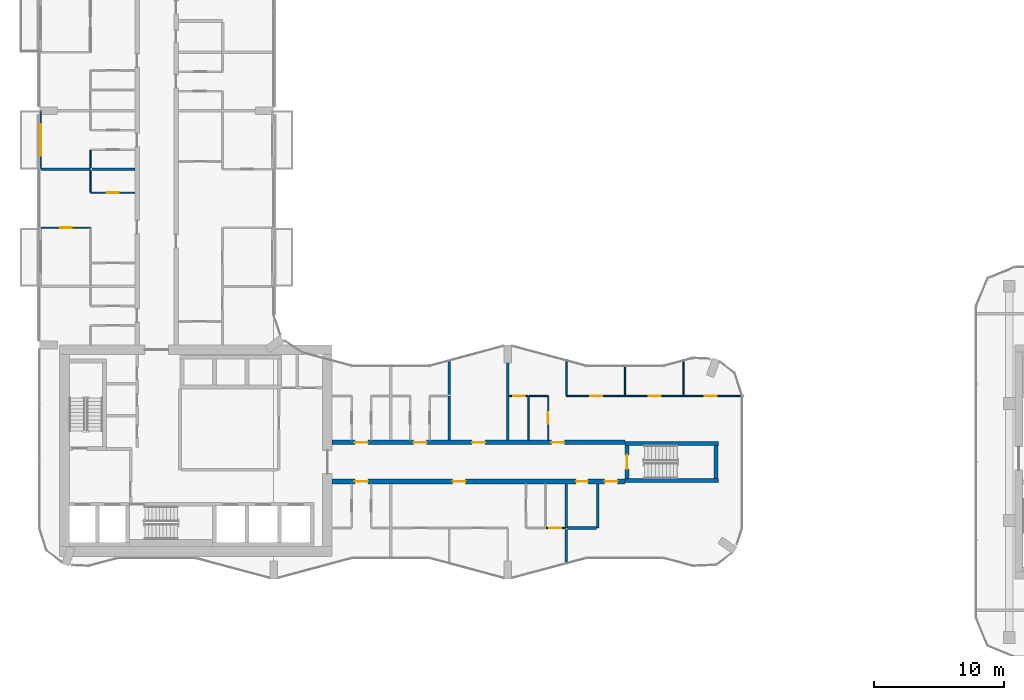
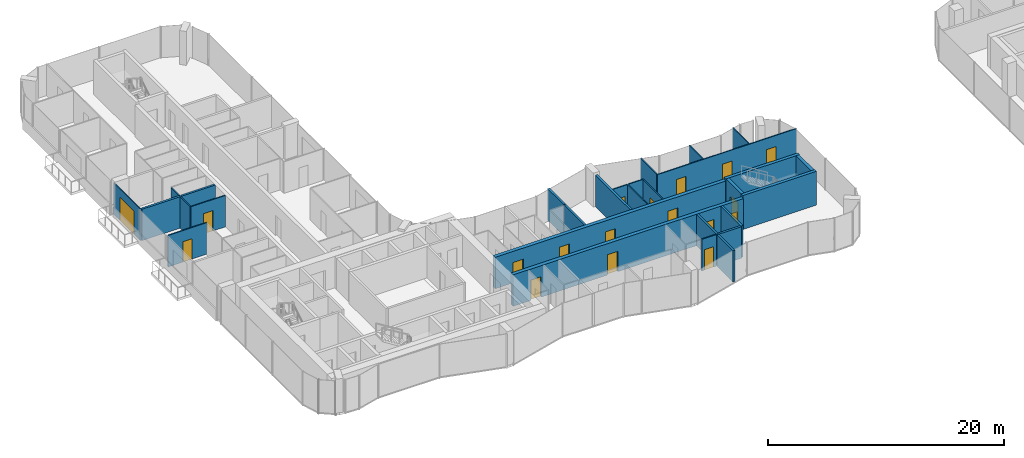
# One storey, part 15 of 23: 29 walls, 18 doors, 18 openings.
"""IFC4 building model written with IfcOpenShell, lengths in metres."""

from ifc_helpers import new_model, si_unit, direction, frame, frame_2d, origin, place, context, subcontext, project, spatial, rectangle, extrude, material, layer, layer_set, type_object, element, fill, save


model = new_model("IFC4")

# Units and contexts
model_context = context("Model", 3, precision=1e-05, world=origin(), true_north=direction((0.0, 1.0)))
body_context = subcontext(model_context, "Body", "Model", "MODEL_VIEW")
ifc_project = project(units=[si_unit("LENGTHUNIT", "METRE"), si_unit("AREAUNIT", "SQUARE_METRE"), si_unit("VOLUMEUNIT", "CUBIC_METRE"), si_unit("PLANEANGLEUNIT", "RADIAN"), si_unit("MASSUNIT", "GRAM", prefix="KILO")], contexts=[model_context])

# Site, building, storey
site_placement = place(None, origin())
site = spatial("IfcSite", under=ifc_project, at=site_placement, CompositionType="ELEMENT")
building_placement = place(site_placement, origin())
building = spatial("IfcBuilding", under=site, at=building_placement, Name="Plateau Cross Towers", CompositionType="ELEMENT")
storey_placement = place(building_placement, frame((0.0, 0.0, 37.300048828125)))
storey = spatial("IfcBuildingStorey", under=building, at=storey_placement, Name="L08", CompositionType="ELEMENT", Elevation=37.300048828125)

# Wall, opening, door
ifc_material_1 = material(Name="Aluminium framed glazing", Category="aluminium")
ifc_layer_1 = layer(ifc_material_1, 0.10009765625)
ifc_layer_set_1 = layer_set([ifc_layer_1], Name="Aluminium framed glazing")
wall_type_1 = type_object("IfcWallType", Name="Balcony screen wall 100", PredefinedType="STANDARD", material=ifc_layer_set_1)
wall_1_placement = place(storey_placement, frame((0.10009765625, 31.5, 0.0), z_axis=(0.0, 0.0, 1.0), x_axis=(0.0, 1.0, 0.0)))
wall_1 = element("IfcWall", 1, at=wall_1_placement, inside=storey, type_object=wall_type_1, Name="Balcony screen wall A-BAL-L08-02", PredefinedType="STANDARD", context=body_context, shape_type="SweptSolid", body=[
    extrude(rectangle(XDim=4.5, YDim=0.10009765625, at=frame_2d((2.25, 0.0))), origin(), (0.0, 0.0, 1.0), 3.25),
])
opening_1_placement = place(wall_1_placement, frame((1.050048828125, 0.0, 0.0)))
opening_1 = element("IfcOpeningElement", 2, at=opening_1_placement, cuts=wall_1, Name="Opening D-B24", PredefinedType="OPENING", context=body_context, shape_type="SweptSolid", body=[
    extrude(rectangle(XDim=2.39990234375, YDim=2.39990234375, at=frame_2d((1.199951171875, 1.199951171875))), frame((0.0, 0.06005859375, 0.0), z_axis=(0.0, -1.0, 0.0), x_axis=(1.0, 0.0, 0.0)), (0.0, 0.0, 1.0), 0.1201171875),
])
ifc_material_2 = material(Name="Aluminium frame, double glazing", Category="aluminium")
door_type_1 = type_object("IfcDoorType", Name="Balcony sliding door 2400", OperationType="NOTDEFINED", PredefinedType="DOOR", material=ifc_material_2)
door_1_placement = place(opening_1_placement, origin())
door_1 = element("IfcDoor", 3, at=door_1_placement, inside=storey, type_object=door_type_1, Name="Balcony door A-BAL-L08-02", OperationType="SINGLE_SWING_LEFT", OverallHeight=2.39990234375, OverallWidth=2.39990234375, PredefinedType="DOOR", context=body_context, shape_type="SweptSolid", body=[
    extrude(rectangle(XDim=2.39990234375, YDim=2.39990234375, at=frame_2d((1.199951171875, 1.199951171875))), frame((0.0, 0.02490234375, 0.0), z_axis=(0.0, -1.0, 0.0), x_axis=(1.0, 0.0, 0.0)), (0.0, 0.0, 1.0), 0.050048828125),
])
fill(opening_1, door_1)

# Wall, openings, doors
ifc_material_3 = material(Name="Concrete C60/75", Category="concrete")
ifc_layer_2 = layer(ifc_material_3, 0.35009765625)
ifc_layer_set_2 = layer_set([ifc_layer_2], Name="Concrete C60/75")
wall_type_2 = type_object("IfcWallType", Name="Corridor wall 350", PredefinedType="SHEAR", material=ifc_layer_set_2)
wall_2_placement = place(storey_placement, frame((22.5, 7.5, 0.0), z_axis=(0.0, 0.0, 1.0), x_axis=(1.0, 0.0, 0.0)))
wall_2 = element("IfcWall", 4, at=wall_2_placement, inside=storey, type_object=wall_type_2, Name="A-cw-S1@L08", PredefinedType="SHEAR", context=body_context, shape_type="SweptSolid", body=[
    extrude(rectangle(XDim=22.5, YDim=0.35009765625, at=frame_2d((11.25, 0.0))), origin(), (0.0, 0.0, 1.0), 3.25),
])
opening_2_placement = place(wall_2_placement, frame((1.75, 0.0, 0.0)))
opening_2 = element("IfcOpeningElement", 5, at=opening_2_placement, cuts=wall_2, Name="Opening 08-01", PredefinedType="OPENING", context=body_context, shape_type="SweptSolid", body=[
    extrude(rectangle(XDim=1.0, YDim=2.10009765625, at=frame_2d((0.5, 1.050048828125))), frame((0.0, 0.18505859375, 0.0), z_axis=(0.0, -1.0, 0.0), x_axis=(1.0, 0.0, 0.0)), (0.0, 0.0, 1.0), 0.3701171875),
])
opening_3_placement = place(wall_2_placement, frame((9.25, 0.0, 0.0)))
opening_3 = element("IfcOpeningElement", 6, at=opening_3_placement, cuts=wall_2, Name="Opening 08-02", PredefinedType="OPENING", context=body_context, shape_type="SweptSolid", body=[
    extrude(rectangle(XDim=1.0, YDim=2.10009765625, at=frame_2d((0.5, 1.050048828125))), frame((0.0, 0.18505859375, 0.0), z_axis=(0.0, -1.0, 0.0), x_axis=(1.0, 0.0, 0.0)), (0.0, 0.0, 1.0), 0.3701171875),
])
opening_4_placement = place(wall_2_placement, frame((18.75, 0.0, 0.0)))
opening_4 = element("IfcOpeningElement", 7, at=opening_4_placement, cuts=wall_2, Name="Opening 08-03", PredefinedType="OPENING", context=body_context, shape_type="SweptSolid", body=[
    extrude(rectangle(XDim=0.89990234375, YDim=2.10009765625, at=frame_2d((0.449951171875, 1.050048828125))), frame((0.0, 0.18505859375, 0.0), z_axis=(0.0, -1.0, 0.0), x_axis=(1.0, 0.0, 0.0)), (0.0, 0.0, 1.0), 0.3701171875),
])
opening_5_placement = place(wall_2_placement, frame((20.949951171875, 0.0, 0.0)))
opening_5 = element("IfcOpeningElement", 8, at=opening_5_placement, cuts=wall_2, Name="Opening 08-04", PredefinedType="OPENING", context=body_context, shape_type="SweptSolid", body=[
    extrude(rectangle(XDim=1.0, YDim=2.10009765625, at=frame_2d((0.5, 1.050048828125))), frame((0.0, 0.18505859375, 0.0), z_axis=(0.0, -1.0, 0.0), x_axis=(1.0, 0.0, 0.0)), (0.0, 0.0, 1.0), 0.3701171875),
])
ifc_material_4 = material(Name="Timber, fire-resisting leaf", Category="wood")
door_type_2 = type_object("IfcDoorType", Name="Flat entrance door 1000", OperationType="NOTDEFINED", PredefinedType="DOOR", material=ifc_material_4)
door_2_placement = place(opening_2_placement, origin())
door_2 = element("IfcDoor", 9, at=door_2_placement, inside=storey, type_object=door_type_2, Name="Door 08-01", OperationType="SINGLE_SWING_LEFT", OverallHeight=2.10009765625, OverallWidth=1.0, PredefinedType="DOOR", context=body_context, shape_type="SweptSolid", body=[
    extrude(rectangle(XDim=1.0, YDim=2.10009765625, at=frame_2d((0.5, 1.050048828125))), frame((0.0, 0.02490234375, 0.0), z_axis=(0.0, -1.0, 0.0), x_axis=(1.0, 0.0, 0.0)), (0.0, 0.0, 1.0), 0.050048828125),
])
fill(opening_2, door_2)
door_3_placement = place(opening_3_placement, origin())
door_3 = element("IfcDoor", 10, at=door_3_placement, inside=storey, type_object=door_type_2, Name="Door 08-02", OperationType="SINGLE_SWING_LEFT", OverallHeight=2.10009765625, OverallWidth=1.0, PredefinedType="DOOR", context=body_context, shape_type="SweptSolid", body=[
    extrude(rectangle(XDim=1.0, YDim=2.10009765625, at=frame_2d((0.5, 1.050048828125))), frame((0.0, 0.02490234375, 0.0), z_axis=(0.0, -1.0, 0.0), x_axis=(1.0, 0.0, 0.0)), (0.0, 0.0, 1.0), 0.050048828125),
])
fill(opening_3, door_3)
door_4_placement = place(opening_5_placement, origin())
door_4 = element("IfcDoor", 11, at=door_4_placement, inside=storey, type_object=door_type_2, Name="Door 08-04", OperationType="SINGLE_SWING_RIGHT", OverallHeight=2.10009765625, OverallWidth=1.0, PredefinedType="DOOR", context=body_context, shape_type="SweptSolid", body=[
    extrude(rectangle(XDim=1.0, YDim=2.10009765625, at=frame_2d((0.5, 1.050048828125))), frame((0.0, 0.02490234375, 0.0), z_axis=(0.0, -1.0, 0.0), x_axis=(1.0, 0.0, 0.0)), (0.0, 0.0, 1.0), 0.050048828125),
])
fill(opening_5, door_4)
door_type_3 = type_object("IfcDoorType", Name="Flat floor service door 900", OperationType="NOTDEFINED", PredefinedType="DOOR", material=ifc_material_4)
door_5_placement = place(opening_4_placement, origin())
door_5 = element("IfcDoor", 12, at=door_5_placement, inside=storey, type_object=door_type_3, Name="Door 08-03", OperationType="SINGLE_SWING_RIGHT", OverallHeight=2.10009765625, OverallWidth=0.89990234375, PredefinedType="DOOR", context=body_context, shape_type="SweptSolid", body=[
    extrude(rectangle(XDim=0.89990234375, YDim=2.10009765625, at=frame_2d((0.449951171875, 1.050048828125))), frame((0.0, 0.02490234375, 0.0), z_axis=(0.0, -1.0, 0.0), x_axis=(1.0, 0.0, 0.0)), (0.0, 0.0, 1.0), 0.050048828125),
])
fill(opening_4, door_5)

wall_3_placement = place(storey_placement, frame((22.5, 10.5, 0.0), z_axis=(0.0, 0.0, 1.0), x_axis=(1.0, 0.0, 0.0)))
wall_3 = element("IfcWall", 13, at=wall_3_placement, inside=storey, type_object=wall_type_2, Name="A-cw-S2@L08", PredefinedType="SHEAR", context=body_context, shape_type="SweptSolid", body=[
    extrude(rectangle(XDim=22.5, YDim=0.35009765625, at=frame_2d((11.25, 0.0))), origin(), (0.0, 0.0, 1.0), 3.25),
])
opening_6_placement = place(wall_3_placement, frame((1.75, 0.0, 0.0)))
opening_6 = element("IfcOpeningElement", 14, at=opening_6_placement, cuts=wall_3, Name="Opening 08-05", PredefinedType="OPENING", context=body_context, shape_type="SweptSolid", body=[
    extrude(rectangle(XDim=1.0, YDim=2.10009765625, at=frame_2d((0.5, 1.050048828125))), frame((0.0, 0.18505859375, 0.0), z_axis=(0.0, -1.0, 0.0), x_axis=(1.0, 0.0, 0.0)), (0.0, 0.0, 1.0), 0.3701171875),
])
opening_7_placement = place(wall_3_placement, frame((6.25, 0.0, 0.0)))
opening_7 = element("IfcOpeningElement", 15, at=opening_7_placement, cuts=wall_3, Name="Opening 08-06", PredefinedType="OPENING", context=body_context, shape_type="SweptSolid", body=[
    extrude(rectangle(XDim=1.0, YDim=2.10009765625, at=frame_2d((0.5, 1.050048828125))), frame((0.0, 0.18505859375, 0.0), z_axis=(0.0, -1.0, 0.0), x_axis=(1.0, 0.0, 0.0)), (0.0, 0.0, 1.0), 0.3701171875),
])
opening_8_placement = place(wall_3_placement, frame((10.75, 0.0, 0.0)))
opening_8 = element("IfcOpeningElement", 16, at=opening_8_placement, cuts=wall_3, Name="Opening 08-07", PredefinedType="OPENING", context=body_context, shape_type="SweptSolid", body=[
    extrude(rectangle(XDim=1.0, YDim=2.10009765625, at=frame_2d((0.5, 1.050048828125))), frame((0.0, 0.18505859375, 0.0), z_axis=(0.0, -1.0, 0.0), x_axis=(1.0, 0.0, 0.0)), (0.0, 0.0, 1.0), 0.3701171875),
])
opening_9_placement = place(wall_3_placement, frame((16.85009765625, 0.0, 0.0)))
opening_9 = element("IfcOpeningElement", 17, at=opening_9_placement, cuts=wall_3, Name="Opening 08-08", PredefinedType="OPENING", context=body_context, shape_type="SweptSolid", body=[
    extrude(rectangle(XDim=1.0, YDim=2.10009765625, at=frame_2d((0.5, 1.050048828125))), frame((0.0, 0.18505859375, 0.0), z_axis=(0.0, -1.0, 0.0), x_axis=(1.0, 0.0, 0.0)), (0.0, 0.0, 1.0), 0.3701171875),
])
door_6_placement = place(opening_6_placement, origin())
door_6 = element("IfcDoor", 18, at=door_6_placement, inside=storey, type_object=door_type_2, Name="Door 08-05", OperationType="SINGLE_SWING_LEFT", OverallHeight=2.10009765625, OverallWidth=1.0, PredefinedType="DOOR", context=body_context, shape_type="SweptSolid", body=[
    extrude(rectangle(XDim=1.0, YDim=2.10009765625, at=frame_2d((0.5, 1.050048828125))), frame((0.0, 0.02490234375, 0.0), z_axis=(0.0, -1.0, 0.0), x_axis=(1.0, 0.0, 0.0)), (0.0, 0.0, 1.0), 0.050048828125),
])
fill(opening_6, door_6)
door_7_placement = place(opening_7_placement, origin())
door_7 = element("IfcDoor", 19, at=door_7_placement, inside=storey, type_object=door_type_2, Name="Door 08-06", OperationType="SINGLE_SWING_LEFT", OverallHeight=2.10009765625, OverallWidth=1.0, PredefinedType="DOOR", context=body_context, shape_type="SweptSolid", body=[
    extrude(rectangle(XDim=1.0, YDim=2.10009765625, at=frame_2d((0.5, 1.050048828125))), frame((0.0, 0.02490234375, 0.0), z_axis=(0.0, -1.0, 0.0), x_axis=(1.0, 0.0, 0.0)), (0.0, 0.0, 1.0), 0.050048828125),
])
fill(opening_7, door_7)
door_8_placement = place(opening_8_placement, origin())
door_8 = element("IfcDoor", 20, at=door_8_placement, inside=storey, type_object=door_type_2, Name="Door 08-07", OperationType="SINGLE_SWING_LEFT", OverallHeight=2.10009765625, OverallWidth=1.0, PredefinedType="DOOR", context=body_context, shape_type="SweptSolid", body=[
    extrude(rectangle(XDim=1.0, YDim=2.10009765625, at=frame_2d((0.5, 1.050048828125))), frame((0.0, 0.02490234375, 0.0), z_axis=(0.0, -1.0, 0.0), x_axis=(1.0, 0.0, 0.0)), (0.0, 0.0, 1.0), 0.050048828125),
])
fill(opening_8, door_8)
door_9_placement = place(opening_9_placement, origin())
door_9 = element("IfcDoor", 21, at=door_9_placement, inside=storey, type_object=door_type_2, Name="Door 08-08", OperationType="SINGLE_SWING_RIGHT", OverallHeight=2.10009765625, OverallWidth=1.0, PredefinedType="DOOR", context=body_context, shape_type="SweptSolid", body=[
    extrude(rectangle(XDim=1.0, YDim=2.10009765625, at=frame_2d((0.5, 1.050048828125))), frame((0.0, 0.02490234375, 0.0), z_axis=(0.0, -1.0, 0.0), x_axis=(1.0, 0.0, 0.0)), (0.0, 0.0, 1.0), 0.050048828125),
])
fill(opening_9, door_9)

# Wall, opening, door
ifc_material_5 = material(Name="Gypsum board on steel studs", Category="steel")
ifc_layer_3 = layer(ifc_material_5, 0.10009765625)
ifc_layer_set_3 = layer_set([ifc_layer_3], Name="Gypsum board on steel studs")
wall_type_3 = type_object("IfcWallType", Name="Flat partition 100", PredefinedType="PARTITIONING", material=ifc_layer_set_3)
wall_4_placement = place(storey_placement, frame((38.949951171875, 3.925048828125, 0.0), z_axis=(0.0, 0.0, 1.0), x_axis=(1.0, 0.0, 0.0)))
wall_4 = element("IfcWall", 22, at=wall_4_placement, inside=storey, type_object=wall_type_3, Name="Partition wall", PredefinedType="PARTITIONING", context=body_context, shape_type="SweptSolid", body=[
    extrude(rectangle(XDim=1.449951171875, YDim=0.10009765625, at=frame_2d((0.72509765625, 0.0))), origin(), (0.0, 0.0, 1.0), 3.25),
])
opening_10_placement = place(wall_4_placement, frame((0.25, 0.0, 0.0)))
opening_10 = element("IfcOpeningElement", 23, at=opening_10_placement, cuts=wall_4, Name="Opening 08-20", PredefinedType="OPENING", context=body_context, shape_type="SweptSolid", body=[
    extrude(rectangle(XDim=0.89990234375, YDim=2.10009765625, at=frame_2d((0.449951171875, 1.050048828125))), frame((0.0, 0.06005859375, 0.0), z_axis=(0.0, -1.0, 0.0), x_axis=(1.0, 0.0, 0.0)), (0.0, 0.0, 1.0), 0.1201171875),
])
ifc_material_6 = material(Name="Timber leaf", Category="wood")
door_type_4 = type_object("IfcDoorType", Name="Flat room door 900", OperationType="NOTDEFINED", PredefinedType="DOOR", material=ifc_material_6)
door_10_placement = place(opening_10_placement, origin())
door_10 = element("IfcDoor", 24, at=door_10_placement, inside=storey, type_object=door_type_4, Name="Door 08-20", OperationType="SINGLE_SWING_LEFT", OverallHeight=2.10009765625, OverallWidth=0.89990234375, PredefinedType="DOOR", context=body_context, shape_type="SweptSolid", body=[
    extrude(rectangle(XDim=0.89990234375, YDim=2.10009765625, at=frame_2d((0.449951171875, 1.050048828125))), frame((0.0, 0.02490234375, 0.0), z_axis=(0.0, -1.0, 0.0), x_axis=(1.0, 0.0, 0.0)), (0.0, 0.0, 1.0), 0.050048828125),
])
fill(opening_10, door_10)

wall_5_placement = place(storey_placement, frame((37.550048828125, 14.074951171875, 0.0), z_axis=(0.0, 0.0, 1.0), x_axis=(-1.0, 0.0, 0.0)))
wall_5 = element("IfcWall", 25, at=wall_5_placement, inside=storey, type_object=wall_type_3, Name="Partition wall", PredefinedType="PARTITIONING", context=body_context, shape_type="SweptSolid", body=[
    extrude(rectangle(XDim=1.449951171875, YDim=0.10009765625, at=frame_2d((0.72509765625, 0.0))), origin(), (0.0, 0.0, 1.0), 3.25),
])
opening_11_placement = place(wall_5_placement, frame((0.25, 0.0, 0.0)))
opening_11 = element("IfcOpeningElement", 26, at=opening_11_placement, cuts=wall_5, Name="Opening 08-27", PredefinedType="OPENING", context=body_context, shape_type="SweptSolid", body=[
    extrude(rectangle(XDim=0.89990234375, YDim=2.10009765625, at=frame_2d((0.449951171875, 1.050048828125))), frame((0.0, 0.06005859375, 0.0), z_axis=(0.0, -1.0, 0.0), x_axis=(1.0, 0.0, 0.0)), (0.0, 0.0, 1.0), 0.1201171875),
])
door_11_placement = place(opening_11_placement, origin())
door_11 = element("IfcDoor", 27, at=door_11_placement, inside=storey, type_object=door_type_4, Name="Door 08-27", OperationType="SINGLE_SWING_LEFT", OverallHeight=2.10009765625, OverallWidth=0.89990234375, PredefinedType="DOOR", context=body_context, shape_type="SweptSolid", body=[
    extrude(rectangle(XDim=0.89990234375, YDim=2.10009765625, at=frame_2d((0.449951171875, 1.050048828125))), frame((0.0, 0.02490234375, 0.0), z_axis=(0.0, -1.0, 0.0), x_axis=(1.0, 0.0, 0.0)), (0.0, 0.0, 1.0), 0.050048828125),
])
fill(opening_11, door_11)

# Wall
wall_6_placement = place(storey_placement, frame((39.050048828125, 14.074951171875, 0.0), z_axis=(0.0, 0.0, 1.0), x_axis=(-1.0, 0.0, 0.0)))
element("IfcWall", 28, at=wall_6_placement, inside=storey, type_object=wall_type_3, Name="Partition wall", PredefinedType="PARTITIONING", context=body_context, shape_type="SweptSolid", body=[
    extrude(rectangle(XDim=1.400146484375, YDim=0.10009765625, at=frame_2d((0.7001953125, 0.0))), origin(), (0.0, 0.0, 1.0), 3.25),
])

# Wall, openings, doors
wall_7_placement = place(storey_placement, frame((40.5, 14.074951171875, 0.0), z_axis=(0.0, 0.0, 1.0), x_axis=(1.0, 0.0, 0.0)))
wall_7 = element("IfcWall", 29, at=wall_7_placement, inside=storey, type_object=wall_type_3, Name="Partition wall", PredefinedType="PARTITIONING", context=body_context, shape_type="SweptSolid", body=[
    extrude(rectangle(XDim=13.580078125, YDim=0.10009765625, at=frame_2d((6.7900390625, 0.0))), origin(), (0.0, 0.0, 1.0), 3.25),
])
opening_12_placement = place(wall_7_placement, frame((1.85009765625, 0.0, 0.0)))
opening_12 = element("IfcOpeningElement", 30, at=opening_12_placement, cuts=wall_7, Name="Opening 08-29", PredefinedType="OPENING", context=body_context, shape_type="SweptSolid", body=[
    extrude(rectangle(XDim=0.89990234375, YDim=2.10009765625, at=frame_2d((0.449951171875, 1.050048828125))), frame((0.0, 0.06005859375, 0.0), z_axis=(0.0, -1.0, 0.0), x_axis=(1.0, 0.0, 0.0)), (0.0, 0.0, 1.0), 0.1201171875),
])
opening_13_placement = place(wall_7_placement, frame((6.35009765625, 0.0, 0.0)))
opening_13 = element("IfcOpeningElement", 31, at=opening_13_placement, cuts=wall_7, Name="Opening 08-30", PredefinedType="OPENING", context=body_context, shape_type="SweptSolid", body=[
    extrude(rectangle(XDim=0.89990234375, YDim=2.10009765625, at=frame_2d((0.449951171875, 1.050048828125))), frame((0.0, 0.06005859375, 0.0), z_axis=(0.0, -1.0, 0.0), x_axis=(1.0, 0.0, 0.0)), (0.0, 0.0, 1.0), 0.1201171875),
])
opening_14_placement = place(wall_7_placement, frame((10.64990234375, 0.0, 0.0)))
opening_14 = element("IfcOpeningElement", 32, at=opening_14_placement, cuts=wall_7, Name="Opening 08-31", PredefinedType="OPENING", context=body_context, shape_type="SweptSolid", body=[
    extrude(rectangle(XDim=0.89990234375, YDim=2.10009765625, at=frame_2d((0.449951171875, 1.050048828125))), frame((0.0, 0.06005859375, 0.0), z_axis=(0.0, -1.0, 0.0), x_axis=(1.0, 0.0, 0.0)), (0.0, 0.0, 1.0), 0.1201171875),
])
door_12_placement = place(opening_12_placement, origin())
door_12 = element("IfcDoor", 33, at=door_12_placement, inside=storey, type_object=door_type_4, Name="Door 08-29", OperationType="SINGLE_SWING_LEFT", OverallHeight=2.10009765625, OverallWidth=0.89990234375, PredefinedType="DOOR", context=body_context, shape_type="SweptSolid", body=[
    extrude(rectangle(XDim=0.89990234375, YDim=2.10009765625, at=frame_2d((0.449951171875, 1.050048828125))), frame((0.0, 0.02490234375, 0.0), z_axis=(0.0, -1.0, 0.0), x_axis=(1.0, 0.0, 0.0)), (0.0, 0.0, 1.0), 0.050048828125),
])
fill(opening_12, door_12)
door_13_placement = place(opening_13_placement, origin())
door_13 = element("IfcDoor", 34, at=door_13_placement, inside=storey, type_object=door_type_4, Name="Door 08-30", OperationType="SINGLE_SWING_RIGHT", OverallHeight=2.10009765625, OverallWidth=0.89990234375, PredefinedType="DOOR", context=body_context, shape_type="SweptSolid", body=[
    extrude(rectangle(XDim=0.89990234375, YDim=2.10009765625, at=frame_2d((0.449951171875, 1.050048828125))), frame((0.0, 0.02490234375, 0.0), z_axis=(0.0, -1.0, 0.0), x_axis=(1.0, 0.0, 0.0)), (0.0, 0.0, 1.0), 0.050048828125),
])
fill(opening_13, door_13)
door_14_placement = place(opening_14_placement, origin())
door_14 = element("IfcDoor", 35, at=door_14_placement, inside=storey, type_object=door_type_4, Name="Door 08-31", OperationType="SINGLE_SWING_RIGHT", OverallHeight=2.10009765625, OverallWidth=0.89990234375, PredefinedType="DOOR", context=body_context, shape_type="SweptSolid", body=[
    extrude(rectangle(XDim=0.89990234375, YDim=2.10009765625, at=frame_2d((0.449951171875, 1.050048828125))), frame((0.0, 0.02490234375, 0.0), z_axis=(0.0, -1.0, 0.0), x_axis=(1.0, 0.0, 0.0)), (0.0, 0.0, 1.0), 0.050048828125),
])
fill(opening_14, door_14)

# Wall, opening, door
wall_8_placement = place(storey_placement, frame((3.925048828125, 27.0, 0.0), z_axis=(0.0, 0.0, 1.0), x_axis=(-1.0, 0.0, 0.0)))
wall_8 = element("IfcWall", 36, at=wall_8_placement, inside=storey, type_object=wall_type_3, Name="Partition wall", PredefinedType="PARTITIONING", context=body_context, shape_type="SweptSolid", body=[
    extrude(rectangle(XDim=3.775146484375, YDim=0.10009765625, at=frame_2d((1.8876953125, 0.0))), origin(), (0.0, 0.0, 1.0), 3.25),
])
opening_15_placement = place(wall_8_placement, frame((1.449951171875, 0.0, 0.0)))
opening_15 = element("IfcOpeningElement", 37, at=opening_15_placement, cuts=wall_8, Name="Opening 08-36", PredefinedType="OPENING", context=body_context, shape_type="SweptSolid", body=[
    extrude(rectangle(XDim=0.89990234375, YDim=2.10009765625, at=frame_2d((0.449951171875, 1.050048828125))), frame((0.0, 0.06005859375, 0.0), z_axis=(0.0, -1.0, 0.0), x_axis=(1.0, 0.0, 0.0)), (0.0, 0.0, 1.0), 0.1201171875),
])
door_15_placement = place(opening_15_placement, origin())
door_15 = element("IfcDoor", 38, at=door_15_placement, inside=storey, type_object=door_type_4, Name="Door 08-36", OperationType="SINGLE_SWING_RIGHT", OverallHeight=2.10009765625, OverallWidth=0.89990234375, PredefinedType="DOOR", context=body_context, shape_type="SweptSolid", body=[
    extrude(rectangle(XDim=0.89990234375, YDim=2.10009765625, at=frame_2d((0.449951171875, 1.050048828125))), frame((0.0, 0.02490234375, 0.0), z_axis=(0.0, -1.0, 0.0), x_axis=(1.0, 0.0, 0.0)), (0.0, 0.0, 1.0), 0.050048828125),
])
fill(opening_15, door_15)

wall_9_placement = place(storey_placement, frame((3.925048828125, 29.699951171875, 0.0), z_axis=(0.0, 0.0, 1.0), x_axis=(1.0, 0.0, 0.0)))
wall_9 = element("IfcWall", 39, at=wall_9_placement, inside=storey, type_object=wall_type_3, Name="Partition wall", PredefinedType="PARTITIONING", context=body_context, shape_type="SweptSolid", body=[
    extrude(rectangle(XDim=3.39990234375, YDim=0.10009765625, at=frame_2d((1.699951171875, 0.0))), origin(), (0.0, 0.0, 1.0), 3.25),
])
opening_16_placement = place(wall_9_placement, frame((1.25, 0.0, 0.0)))
opening_16 = element("IfcOpeningElement", 40, at=opening_16_placement, cuts=wall_9, Name="Opening 08-35", PredefinedType="OPENING", context=body_context, shape_type="SweptSolid", body=[
    extrude(rectangle(XDim=0.89990234375, YDim=2.10009765625, at=frame_2d((0.449951171875, 1.050048828125))), frame((0.0, 0.06005859375, 0.0), z_axis=(0.0, -1.0, 0.0), x_axis=(1.0, 0.0, 0.0)), (0.0, 0.0, 1.0), 0.1201171875),
])
door_16_placement = place(opening_16_placement, origin())
door_16 = element("IfcDoor", 41, at=door_16_placement, inside=storey, type_object=door_type_4, Name="Door 08-35", OperationType="SINGLE_SWING_LEFT", OverallHeight=2.10009765625, OverallWidth=0.89990234375, PredefinedType="DOOR", context=body_context, shape_type="SweptSolid", body=[
    extrude(rectangle(XDim=0.89990234375, YDim=2.10009765625, at=frame_2d((0.449951171875, 1.050048828125))), frame((0.0, 0.02490234375, 0.0), z_axis=(0.0, -1.0, 0.0), x_axis=(1.0, 0.0, 0.0)), (0.0, 0.0, 1.0), 0.050048828125),
])
fill(opening_16, door_16)

# Walls
wall_10_placement = place(storey_placement, frame((3.925048828125, 31.39990234375, 0.0), z_axis=(0.0, 0.0, 1.0), x_axis=(0.0, -1.0, 0.0)))
element("IfcWall", 42, at=wall_10_placement, inside=storey, type_object=wall_type_3, Name="Partition wall", PredefinedType="PARTITIONING", context=body_context, shape_type="SweptSolid", body=[
    extrude(rectangle(XDim=1.64990234375, YDim=0.10009765625, at=frame_2d((0.824951171875, 0.0))), origin(), (0.0, 0.0, 1.0), 3.25),
])
wall_11_placement = place(storey_placement, frame((3.925048828125, 32.949951171875, 0.0), z_axis=(0.0, 0.0, 1.0), x_axis=(0.0, -1.0, 0.0)))
element("IfcWall", 43, at=wall_11_placement, inside=storey, type_object=wall_type_3, Name="Partition wall", PredefinedType="PARTITIONING", context=body_context, shape_type="SweptSolid", body=[
    extrude(rectangle(XDim=1.349853515625, YDim=0.10009765625, at=frame_2d((0.6748046875, 0.0))), origin(), (0.0, 0.0, 1.0), 3.25),
])
wall_12_placement = place(storey_placement, frame((37.60009765625, 10.675048828125, 0.0), z_axis=(0.0, 0.0, 1.0), x_axis=(0.0, 1.0, 0.0)))
element("IfcWall", 44, at=wall_12_placement, inside=storey, type_object=wall_type_3, Name="Partition wall", PredefinedType="PARTITIONING", context=body_context, shape_type="SweptSolid", body=[
    extrude(rectangle(XDim=3.39990234375, YDim=0.10009765625, at=frame_2d((1.699951171875, 0.0))), origin(), (0.0, 0.0, 1.0), 3.25),
])

# Wall, opening, door
wall_13_placement = place(storey_placement, frame((39.10009765625, 10.675048828125, 0.0), z_axis=(0.0, 0.0, 1.0), x_axis=(0.0, 1.0, 0.0)))
wall_13 = element("IfcWall", 45, at=wall_13_placement, inside=storey, type_object=wall_type_3, Name="Partition wall", PredefinedType="PARTITIONING", context=body_context, shape_type="SweptSolid", body=[
    extrude(rectangle(XDim=3.39990234375, YDim=0.10009765625, at=frame_2d((1.699951171875, 0.0))), origin(), (0.0, 0.0, 1.0), 3.25),
])
opening_17_placement = place(wall_13_placement, frame((1.25, 0.0, 0.0)))
opening_17 = element("IfcOpeningElement", 46, at=opening_17_placement, cuts=wall_13, Name="Opening 08-28", PredefinedType="OPENING", context=body_context, shape_type="SweptSolid", body=[
    extrude(rectangle(XDim=0.89990234375, YDim=2.10009765625, at=frame_2d((0.449951171875, 1.050048828125))), frame((0.0, 0.06005859375, 0.0), z_axis=(0.0, -1.0, 0.0), x_axis=(1.0, 0.0, 0.0)), (0.0, 0.0, 1.0), 0.1201171875),
])
door_17_placement = place(opening_17_placement, origin())
door_17 = element("IfcDoor", 47, at=door_17_placement, inside=storey, type_object=door_type_4, Name="Door 08-28", OperationType="SINGLE_SWING_RIGHT", OverallHeight=2.10009765625, OverallWidth=0.89990234375, PredefinedType="DOOR", context=body_context, shape_type="SweptSolid", body=[
    extrude(rectangle(XDim=0.89990234375, YDim=2.10009765625, at=frame_2d((0.449951171875, 1.050048828125))), frame((0.0, 0.02490234375, 0.0), z_axis=(0.0, -1.0, 0.0), x_axis=(1.0, 0.0, 0.0)), (0.0, 0.0, 1.0), 0.050048828125),
])
fill(opening_17, door_17)

# Walls
wall_14_placement = place(storey_placement, frame((40.5, 16.877685546875, 0.0), z_axis=(0.0, 0.0, 1.0), x_axis=(0.0, -1.0, 0.0)))
element("IfcWall", 48, at=wall_14_placement, inside=storey, type_object=wall_type_3, Name="Partition wall", PredefinedType="PARTITIONING", context=body_context, shape_type="SweptSolid", body=[
    extrude(rectangle(XDim=2.752685546875, YDim=0.10009765625, at=frame_2d((1.37646484375, 0.0))), origin(), (0.0, 0.0, 1.0), 3.25),
])
wall_15_placement = place(storey_placement, frame((45.0, 14.125, 0.0), z_axis=(0.0, 0.0, 1.0), x_axis=(0.0, 1.0, 0.0)))
element("IfcWall", 49, at=wall_15_placement, inside=storey, type_object=wall_type_3, Name="Partition wall", PredefinedType="PARTITIONING", context=body_context, shape_type="SweptSolid", body=[
    extrude(rectangle(XDim=2.34814453125, YDim=0.10009765625, at=frame_2d((1.174072265625, 0.0))), origin(), (0.0, 0.0, 1.0), 3.25),
])
wall_16_placement = place(storey_placement, frame((49.5, 14.125, 0.0), z_axis=(0.0, 0.0, 1.0), x_axis=(0.0, 1.0, 0.0)))
element("IfcWall", 50, at=wall_16_placement, inside=storey, type_object=wall_type_3, Name="Partition wall", PredefinedType="PARTITIONING", context=body_context, shape_type="SweptSolid", body=[
    extrude(rectangle(XDim=2.752685546875, YDim=0.10009765625, at=frame_2d((1.37646484375, 0.0))), origin(), (0.0, 0.0, 1.0), 3.25),
])
ifc_material_7 = material(Name="Gypsum board on steel studs, two layers each side", Category="steel")
ifc_layer_4 = layer(ifc_material_7, 0.199951171875)
ifc_layer_set_4 = layer_set([ifc_layer_4], Name="Gypsum board on steel studs, two layers each side")
wall_type_4 = type_object("IfcWallType", Name="Flat party wall 200", PredefinedType="PARTITIONING", material=ifc_layer_set_4)
wall_17_placement = place(storey_placement, frame((40.60009765625, 3.925048828125, 0.0), z_axis=(0.0, 0.0, 1.0), x_axis=(1.0, 0.0, 0.0)))
element("IfcWall", 51, at=wall_17_placement, inside=storey, type_object=wall_type_4, Name="Party wall", PredefinedType="PARTITIONING", context=body_context, shape_type="SweptSolid", body=[
    extrude(rectangle(XDim=2.199951171875, YDim=0.199951171875, at=frame_2d((1.10009765625, 0.0))), origin(), (0.0, 0.0, 1.0), 3.25),
])
wall_18_placement = place(storey_placement, frame((7.324951171875, 31.5, 0.0), z_axis=(0.0, 0.0, 1.0), x_axis=(-1.0, 0.0, 0.0)))
element("IfcWall", 52, at=wall_18_placement, inside=storey, type_object=wall_type_4, Name="Party wall", PredefinedType="PARTITIONING", context=body_context, shape_type="SweptSolid", body=[
    extrude(rectangle(XDim=3.300048828125, YDim=0.199951171875, at=frame_2d((1.64990234375, 0.0))), origin(), (0.0, 0.0, 1.0), 3.25),
])
wall_19_placement = place(storey_placement, frame((0.14990234375, 31.5, 0.0), z_axis=(0.0, 0.0, 1.0), x_axis=(1.0, 0.0, 0.0)))
element("IfcWall", 53, at=wall_19_placement, inside=storey, type_object=wall_type_4, Name="Party wall", PredefinedType="PARTITIONING", context=body_context, shape_type="SweptSolid", body=[
    extrude(rectangle(XDim=3.775146484375, YDim=0.199951171875, at=frame_2d((1.8876953125, 0.0))), origin(), (0.0, 0.0, 1.0), 3.25),
])
wall_20_placement = place(storey_placement, frame((31.5, 16.877685546875, 0.0), z_axis=(0.0, 0.0, 1.0), x_axis=(0.0, -1.0, 0.0)))
element("IfcWall", 54, at=wall_20_placement, inside=storey, type_object=wall_type_4, Name="Party wall", PredefinedType="PARTITIONING", context=body_context, shape_type="SweptSolid", body=[
    extrude(rectangle(XDim=2.70263671875, YDim=0.199951171875, at=frame_2d((1.351318359375, 0.0))), origin(), (0.0, 0.0, 1.0), 3.25),
])
wall_21_placement = place(storey_placement, frame((31.5, 10.675048828125, 0.0), z_axis=(0.0, 0.0, 1.0), x_axis=(0.0, 1.0, 0.0)))
element("IfcWall", 55, at=wall_21_placement, inside=storey, type_object=wall_type_4, Name="Party wall", PredefinedType="PARTITIONING", context=body_context, shape_type="SweptSolid", body=[
    extrude(rectangle(XDim=3.39990234375, YDim=0.199951171875, at=frame_2d((1.699951171875, 0.0))), origin(), (0.0, 0.0, 1.0), 3.25),
])
wall_22_placement = place(storey_placement, frame((36.0, 10.675048828125, 0.0), z_axis=(0.0, 0.0, 1.0), x_axis=(0.0, 1.0, 0.0)))
element("IfcWall", 56, at=wall_22_placement, inside=storey, type_object=wall_type_4, Name="Party wall", PredefinedType="PARTITIONING", context=body_context, shape_type="SweptSolid", body=[
    extrude(rectangle(XDim=5.925048828125, YDim=0.199951171875, at=frame_2d((2.96240234375, 0.0))), origin(), (0.0, 0.0, 1.0), 3.25),
])
wall_23_placement = place(storey_placement, frame((40.5, 3.824951171875, 0.0), z_axis=(0.0, 0.0, 1.0), x_axis=(0.0, -1.0, 0.0)))
element("IfcWall", 57, at=wall_23_placement, inside=storey, type_object=wall_type_4, Name="Party wall", PredefinedType="PARTITIONING", context=body_context, shape_type="SweptSolid", body=[
    extrude(rectangle(XDim=2.70263671875, YDim=0.199951171875, at=frame_2d((1.351318359375, 0.0))), origin(), (0.0, 0.0, 1.0), 3.25),
])
for number, where, z_axis, x_axis, name in (
    (58, (40.5, 3.925048828125, 0.0), (0.0, 0.0, 1.0), (0.0, 1.0, 0.0), "Party wall"),
    (59, (42.89990234375, 3.925048828125, 0.0), (0.0, 0.0, 1.0), (0.0, 1.0, 0.0), "Party wall"),
):
    element("IfcWall", number, at=place(storey_placement, frame(where, z_axis=z_axis, x_axis=x_axis)), inside=storey, type_object=wall_type_4, Name=name, PredefinedType="PARTITIONING", context=body_context, shape_type="SweptSolid", body=[
        extrude(rectangle(XDim=3.39990234375, YDim=0.199951171875, at=frame_2d((1.699951171875, 0.0))), origin(), (0.0, 0.0, 1.0), 3.25),
    ])

# Wall, opening, door
ifc_layer_5 = layer(ifc_material_3, 0.300048828125)
ifc_layer_set_5 = layer_set([ifc_layer_5], Name="Concrete C60/75")
wall_type_5 = type_object("IfcWallType", Name="Stair tower wall 300", PredefinedType="SHEAR", material=ifc_layer_set_5)
wall_24_placement = place(storey_placement, frame((45.14990234375, 7.72509765625, 0.0), z_axis=(0.0, 0.0, 1.0), x_axis=(0.0, 1.0, 0.0)))
wall_24 = element("IfcWall", 60, at=wall_24_placement, inside=storey, type_object=wall_type_5, Name="A-end-E-W@L08", PredefinedType="SHEAR", context=body_context, shape_type="SweptSolid", body=[
    extrude(rectangle(XDim=2.5498046875, YDim=0.300048828125, at=frame_2d((1.27490234375, 0.0))), origin(), (0.0, 0.0, 1.0), 3.5),
])
opening_18_placement = place(wall_24_placement, frame((0.72509765625, 0.0, 0.0)))
opening_18 = element("IfcOpeningElement", 61, at=opening_18_placement, cuts=wall_24, Name="Opening SD", PredefinedType="OPENING", context=body_context, shape_type="SweptSolid", body=[
    extrude(rectangle(XDim=1.10009765625, YDim=2.10009765625, at=frame_2d((0.550048828125, 1.050048828125))), frame((0.0, 0.159912109375, 0.0), z_axis=(0.0, -1.0, 0.0), x_axis=(1.0, 0.0, 0.0)), (0.0, 0.0, 1.0), 0.320068359375),
])
ifc_material_8 = material(Name="Steel, fire-resisting leaf", Category="steel")
door_type_5 = type_object("IfcDoorType", Name="Stair door 1100", OperationType="NOTDEFINED", PredefinedType="DOOR", material=ifc_material_8)
door_18_placement = place(opening_18_placement, origin())
door_18 = element("IfcDoor", 62, at=door_18_placement, inside=storey, type_object=door_type_5, Name="Stair door SD", OperationType="SINGLE_SWING_LEFT", OverallHeight=2.10009765625, OverallWidth=1.10009765625, PredefinedType="DOOR", context=body_context, shape_type="SweptSolid", body=[
    extrude(rectangle(XDim=1.10009765625, YDim=2.10009765625, at=frame_2d((0.550048828125, 1.050048828125))), frame((0.0, 0.02490234375, 0.0), z_axis=(0.0, -1.0, 0.0), x_axis=(1.0, 0.0, 0.0)), (0.0, 0.0, 1.0), 0.050048828125),
])
fill(opening_18, door_18)

# Walls
wall_25_placement = place(storey_placement, frame((52.0, 7.72509765625, 0.0), z_axis=(0.0, 0.0, 1.0), x_axis=(0.0, 1.0, 0.0)))
element("IfcWall", 63, at=wall_25_placement, inside=storey, type_object=wall_type_5, Name="A-end-E-E@L08", PredefinedType="SHEAR", context=body_context, shape_type="SweptSolid", body=[
    extrude(rectangle(XDim=2.5498046875, YDim=0.300048828125, at=frame_2d((1.27490234375, 0.0))), origin(), (0.0, 0.0, 1.0), 3.5),
])
for number, where, z_axis, x_axis, name in (
    (64, (45.0, 7.574951171875, 0.0), (0.0, 0.0, 1.0), (1.0, 0.0, 0.0), "A-end-E-S@L08"),
    (65, (45.0, 10.425048828125, 0.0), (0.0, 0.0, 1.0), (1.0, 0.0, 0.0), "A-end-E-N@L08"),
):
    element("IfcWall", number, at=place(storey_placement, frame(where, z_axis=z_axis, x_axis=x_axis)), inside=storey, type_object=wall_type_5, Name=name, PredefinedType="SHEAR", context=body_context, shape_type="SweptSolid", body=[
        extrude(rectangle(XDim=7.199951171875, YDim=0.300048828125, at=frame_2d((3.60009765625, 0.0))), origin(), (0.0, 0.0, 1.0), 3.5),
    ])

save(model, "model.ifc")
